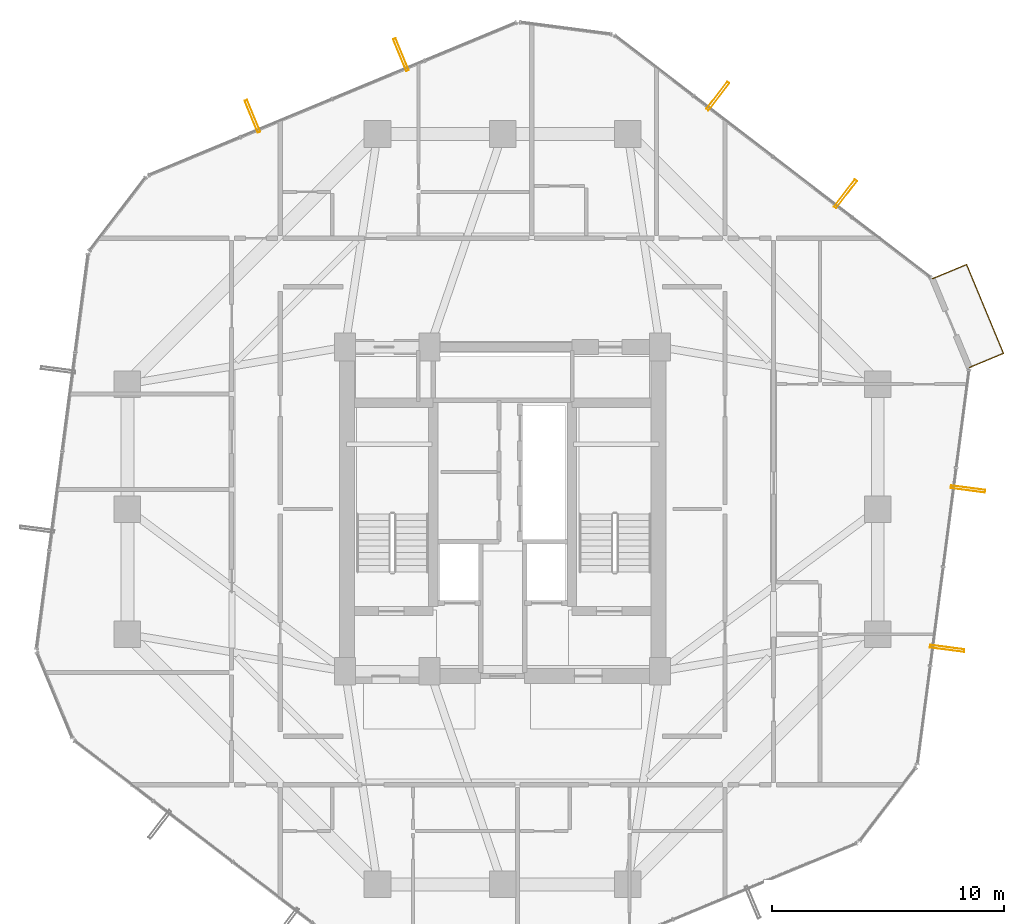
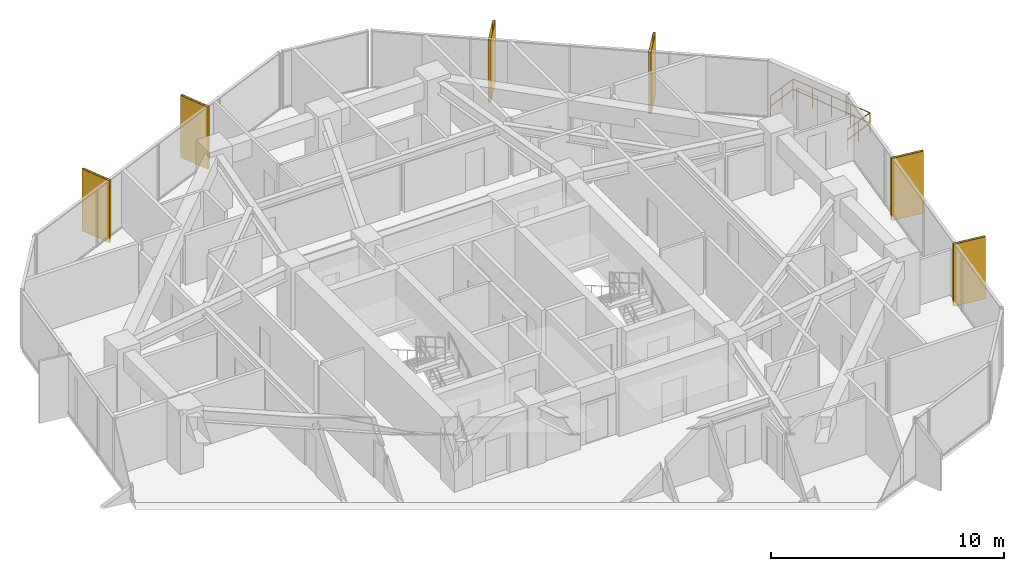
# One storey, part 30 of 30: 6 shading devices, 1 railing.
"""IFC4 building model written with IfcOpenShell, lengths in metres."""

from ifc_helpers import new_model, si_unit, direction, frame, origin, origin_2d, place, context, subcontext, project, spatial, hollow_rectangle, circle, extrude, material, material_profile, profile_set, type_object, element, save


model = new_model("IFC4")

# Units and contexts
model_context = context("Model", 3, precision=1e-05, world=origin(), true_north=direction((0.0, 1.0)))
body_context = subcontext(model_context, "Body", "Model", "MODEL_VIEW")
ifc_project = project(units=[si_unit("LENGTHUNIT", "METRE"), si_unit("AREAUNIT", "SQUARE_METRE"), si_unit("VOLUMEUNIT", "CUBIC_METRE"), si_unit("PLANEANGLEUNIT", "RADIAN"), si_unit("MASSUNIT", "GRAM", prefix="KILO")], contexts=[model_context])

# Site, building, storey
site_placement = place(None, origin())
site = spatial("IfcSite", under=ifc_project, at=site_placement, CompositionType="ELEMENT")
building_placement = place(site_placement, origin())
building = spatial("IfcBuilding", under=site, at=building_placement, Name="Veraguas Prism Commons", CompositionType="ELEMENT")
storey_placement = place(building_placement, frame((0.0, 0.0, 102.449951171875)))
storey = spatial("IfcBuildingStorey", under=building, at=storey_placement, Name="L28", CompositionType="ELEMENT", Elevation=102.449951171875)

# Shading devices
ifc_material_1 = material(Name="Anodised aluminium EN AW-6063 T6", Category="aluminium")
ifc_material_profile = material_profile(ifc_material_1, hollow_rectangle(XDim=0.1201171875, YDim=1.489990234375, WallThickness=0.006103515625, at=origin_2d()), Name="FIN120X1490X6")
ifc_profile_set = profile_set([ifc_material_profile], Name="Anodised aluminium EN AW-6063 T6")
shading_device_type = type_object("IfcShadingDeviceType", Name="Deep Pale-Metal Vertical Solar Fin 120x1490", PredefinedType="USERDEFINED", material=ifc_profile_set)
for number, where, z_axis, x_axis, name in (
    (1, (38.80224609375, 37.61181640625, -0.22998046875), (0.0, 0.0, 1.0), (-0.793776019524, 0.60821018639, 0.0), "Vertical Pale-Metal Solar Fin L28-F1A"),
    (2, (33.2919921875, 41.833740234375, -0.22998046875), (0.0, 0.0, 1.0), (-0.793776019524, 0.60821018639, 0.0), "Vertical Pale-Metal Solar Fin L28-F1B"),
    (3, (19.613037109375, 43.625, -0.22998046875), (0.0, 0.0, 1.0), (-0.92361080588, -0.383331552657, 0.0), "Vertical Pale-Metal Solar Fin L28-F2A"),
    (4, (13.201416015625, 40.9638671875, -0.22998046875), (0.0, 0.0, 1.0), (-0.92361080588, -0.383331552657, 0.0), "Vertical Pale-Metal Solar Fin L28-F2B"),
    (5, (43.189208984375, 17.98681640625, -0.22998046875), (0.0, 0.0, 1.0), (0.129834001381, 0.99153574423, 0.0), "Vertical Pale-Metal Solar Fin L28-F6A"),
    (6, (44.09033203125, 24.869873046875, -0.22998046875), (0.0, 0.0, 1.0), (0.129834001381, 0.99153574423, 0.0), "Vertical Pale-Metal Solar Fin L28-F6B"),
):
    element("IfcShadingDevice", number, at=place(storey_placement, frame(where, z_axis=z_axis, x_axis=x_axis)), inside=storey, type_object=shading_device_type, Name=name, ObjectType="FIN", PredefinedType="USERDEFINED", context=body_context, shape_type="SweptSolid", body=[
        extrude(hollow_rectangle(XDim=0.1201171875, YDim=1.489990234375, WallThickness=0.006103515625, at=origin_2d()), origin(), (0.0, 0.0, 1.0), 3.25),
    ])

# Railing
ifc_material_2 = material(Name="Stainless steel AISI 316", Category="steel")
railing_type = type_object("IfcRailingType", Name="Loggia and Sky Pool Glazed Balustrade 1120", PredefinedType="BALUSTRADE", material=ifc_material_2)
railing_placement = place(storey_placement, frame((44.146728515625, 30.11328125, 0.0)))
element("IfcRailing", 7, at=railing_placement, inside=storey, type_object=railing_type, Name="Recessed Corner Loggia L28-C1 Guard", PredefinedType="BALUSTRADE", context=body_context, shape_type="SweptSolid", body=[
    extrude(circle(Radius=0.02392578125, at=origin_2d()), frame((0.0, 0.0, 1.09619140625), z_axis=(0.923622243268, 0.383303993902, 0.0), x_axis=(-0.383303993902, 0.923622243268, 0.0)), (0.0, 0.0, 1.0), 1.60009765625),
    extrude(circle(Radius=0.02392578125, at=origin_2d()), frame((0.0, 0.0, 0.56005859375), z_axis=(0.923622243268, 0.383303993902, 0.0), x_axis=(-0.383303993902, 0.923622243268, 0.0)), (0.0, 0.0, 1.0), 1.60009765625),
    extrude(circle(Radius=0.02392578125, at=origin_2d()), frame((1.477783203125, 0.61328125, 1.09619140625), z_axis=(-0.383329419458, 0.923611691231, 0.0), x_axis=(-0.923611691231, -0.383329419458, 0.0)), (0.0, 0.0, 1.0), 4.153076171875),
    extrude(circle(Radius=0.02392578125, at=origin_2d()), frame((1.477783203125, 0.61328125, 0.56005859375), z_axis=(-0.383329419458, 0.923611691231, 0.0), x_axis=(-0.923611691231, -0.383329419458, 0.0)), (0.0, 0.0, 1.0), 4.153076171875),
    extrude(circle(Radius=0.02392578125, at=origin_2d()), frame((-0.1142578125, 4.44921875, 1.09619140625), z_axis=(-0.923622243268, -0.383303993902, 0.0), x_axis=(0.383303993902, -0.923622243268, 0.0)), (0.0, 0.0, 1.0), 1.60009765625),
    extrude(circle(Radius=0.02392578125, at=origin_2d()), frame((-0.1142578125, 4.44921875, 0.56005859375), z_axis=(-0.923622243268, -0.383303993902, 0.0), x_axis=(0.383303993902, -0.923622243268, 0.0)), (0.0, 0.0, 1.0), 1.60009765625),
    extrude(circle(Radius=0.02099609375, at=origin_2d()), origin(), (0.0, 0.0, 1.0), 1.072021484375),
    extrude(circle(Radius=0.02099609375, at=origin_2d()), frame((0.73876953125, 0.306640625, 0.0)), (0.0, 0.0, 1.0), 1.072021484375),
    extrude(circle(Radius=0.02099609375, at=origin_2d()), frame((1.477783203125, 0.61328125, 0.0)), (0.0, 0.0, 1.0), 1.072021484375),
    extrude(circle(Radius=0.02099609375, at=origin_2d()), frame((1.079833984375, 1.572265625, 0.0)), (0.0, 0.0, 1.0), 1.072021484375),
    extrude(circle(Radius=0.02099609375, at=origin_2d()), frame((0.681640625, 2.53125, 0.0)), (0.0, 0.0, 1.0), 1.072021484375),
    extrude(circle(Radius=0.02099609375, at=origin_2d()), frame((0.28369140625, 3.490234375, 0.0)), (0.0, 0.0, 1.0), 1.072021484375),
    extrude(circle(Radius=0.02099609375, at=origin_2d()), frame((-0.1142578125, 4.44921875, 0.0)), (0.0, 0.0, 1.0), 1.072021484375),
    extrude(circle(Radius=0.02099609375, at=origin_2d()), frame((-0.85302734375, 4.142578125, 0.0)), (0.0, 0.0, 1.0), 1.072021484375),
    extrude(circle(Radius=0.02099609375, at=origin_2d()), frame((-1.592041015625, 3.8359375, 0.0)), (0.0, 0.0, 1.0), 1.072021484375),
])

save(model, "model.ifc")
